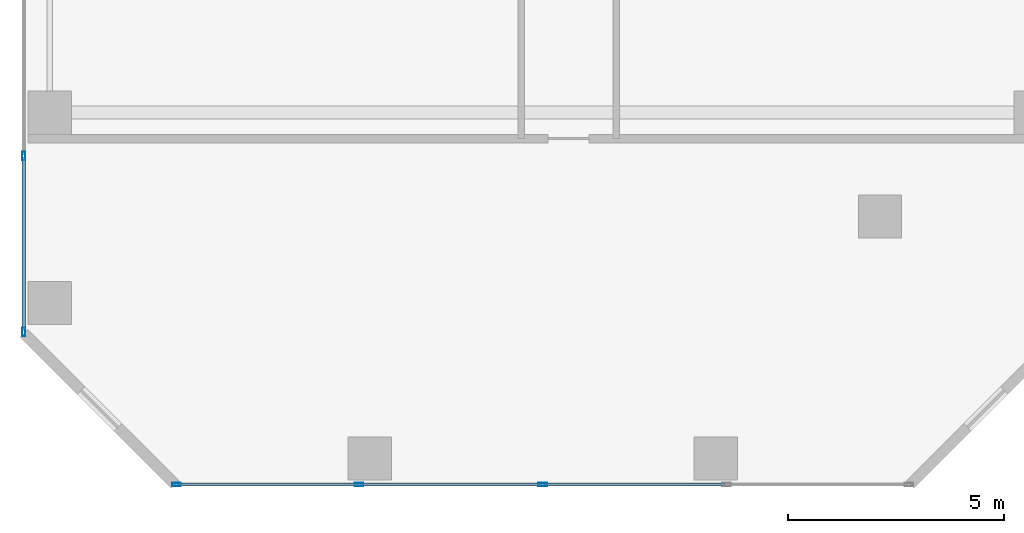
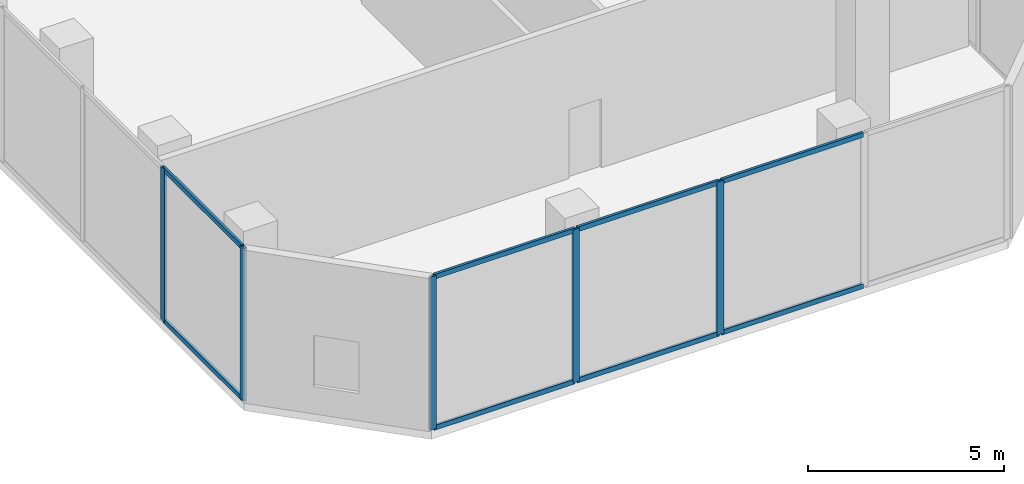
# One storey, part 2 of 24: 13 members, 2 elements without a shape of their own.
"""IFC4 building model written with IfcOpenShell, lengths in metres."""

from ifc_helpers import new_model, si_unit, direction, frame, origin, origin_2d, place, context, subcontext, project, spatial, hollow_rectangle, extrude, material, layer, layer_set, material_profile, profile_set, type_object, element, aggregate, save


model = new_model("IFC4")

# Units and contexts
model_context = context("Model", 3, precision=1e-05, world=origin(), true_north=direction((0.0, 1.0)))
body_context = subcontext(model_context, "Body", "Model", "MODEL_VIEW")
ifc_project = project(units=[si_unit("LENGTHUNIT", "METRE"), si_unit("AREAUNIT", "SQUARE_METRE"), si_unit("VOLUMEUNIT", "CUBIC_METRE"), si_unit("PLANEANGLEUNIT", "RADIAN"), si_unit("MASSUNIT", "GRAM", prefix="KILO")], contexts=[model_context])

# Site, building, storey
site_placement = place(None, origin())
site = spatial("IfcSite", under=ifc_project, at=site_placement, CompositionType="ELEMENT")
building_placement = place(site_placement, origin())
building = spatial("IfcBuilding", under=site, at=building_placement, Name="Catumbela Crestline Tower", CompositionType="ELEMENT")
storey_placement = place(building_placement, frame((0.0, 0.0, 6.0)))
storey = spatial("IfcBuildingStorey", under=building, at=storey_placement, Name="L01", CompositionType="ELEMENT", Elevation=6.0)

# Curtain wall, members
ifc_material = material(Name="Aluminium alloy AW-6060-T66", Category="aluminium")
ifc_layer = layer(ifc_material, 0.18, Name="Aluminium alloy AW-6060-T66")
ifc_layer_set = layer_set([ifc_layer], Name="Aluminium alloy AW-6060-T66")
curtain_wall_type = type_object("IfcCurtainWallType", Name="CWS-POD", PredefinedType="USERDEFINED", material=ifc_layer_set)
curtain_wall_1_placement = place(storey_placement, origin())
curtain_wall_1 = element("IfcCurtainWall", 1, at=curtain_wall_1_placement, inside=storey, type_object=curtain_wall_type, Name="L01 Stick Curtain Wall CW-L01-E0S1", ObjectType="STICK", PredefinedType="USERDEFINED")
ifc_material_profile_1 = material_profile(ifc_material, hollow_rectangle(XDim=0.075, YDim=0.2, WallThickness=0.005, at=origin_2d()), Name="ALU 200x75x5")
ifc_profile_set_1 = profile_set([ifc_material_profile_1], Name="Aluminium alloy AW-6060-T66")
member_type_1 = type_object("IfcMemberType", Name="MUL-200X75", PredefinedType="MULLION", material=ifc_profile_set_1)
member_1_placement = place(storey_placement, frame((3.5325, 0.0, 0.0), z_axis=(0.0, 0.0, 1.0), x_axis=(0.0, 1.0, 0.0)))
member_1 = element("IfcMember", 2, at=member_1_placement, type_object=member_type_1, Name="CWS-POD mullion 1", PredefinedType="MULLION", context=body_context, shape_type="SweptSolid", body=[
    extrude(hollow_rectangle(XDim=0.075, YDim=0.2, WallThickness=0.005, at=origin_2d()), origin(), (0.0, 0.0, 1.0), 4.77),
])
member_2_placement = place(storey_placement, frame((7.75, 0.0, 0.0), z_axis=(0.0, 0.0, 1.0), x_axis=(0.0, 1.0, 0.0)))
member_2 = element("IfcMember", 3, at=member_2_placement, type_object=member_type_1, Name="CWS-POD mullion 2", PredefinedType="MULLION", context=body_context, shape_type="SweptSolid", body=[
    extrude(hollow_rectangle(XDim=0.075, YDim=0.2, WallThickness=0.005, at=origin_2d()), origin(), (0.0, 0.0, 1.0), 4.77),
])
member_3_placement = place(storey_placement, frame((12.0, 0.0, 0.0), z_axis=(0.0, 0.0, 1.0), x_axis=(0.0, 1.0, 0.0)))
member_3 = element("IfcMember", 4, at=member_3_placement, type_object=member_type_1, Name="CWS-POD mullion 3", PredefinedType="MULLION", context=body_context, shape_type="SweptSolid", body=[
    extrude(hollow_rectangle(XDim=0.075, YDim=0.2, WallThickness=0.005, at=origin_2d()), origin(), (0.0, 0.0, 1.0), 4.77),
])

curtain_wall_2_placement = place(storey_placement, origin())
curtain_wall_2 = element("IfcCurtainWall", 5, at=curtain_wall_2_placement, inside=storey, type_object=curtain_wall_type, Name="L01 Stick Curtain Wall CW-L01-E9S1", ObjectType="STICK", PredefinedType="USERDEFINED")
member_4_placement = place(storey_placement, frame((0.0, 7.6, 0.0), z_axis=(0.0, 0.0, 1.0), x_axis=(1.0, 0.0, 0.0)))
member_4 = element("IfcMember", 6, at=member_4_placement, type_object=member_type_1, Name="CWS-POD mullion 10", PredefinedType="MULLION", context=body_context, shape_type="SweptSolid", body=[
    extrude(hollow_rectangle(XDim=0.075, YDim=0.2, WallThickness=0.005, at=origin_2d()), origin(), (0.0, 0.0, 1.0), 4.77),
])
member_5_placement = place(storey_placement, frame((0.0, 3.5325, 0.0), z_axis=(0.0, 0.0, 1.0), x_axis=(1.0, 0.0, 0.0)))
member_5 = element("IfcMember", 7, at=member_5_placement, type_object=member_type_1, Name="CWS-POD mullion 11", PredefinedType="MULLION", context=body_context, shape_type="SweptSolid", body=[
    extrude(hollow_rectangle(XDim=0.075, YDim=0.2, WallThickness=0.005, at=origin_2d()), origin(), (0.0, 0.0, 1.0), 4.77),
])

# Member
ifc_material_profile_2 = material_profile(ifc_material, hollow_rectangle(XDim=0.075, YDim=0.15, WallThickness=0.0045, at=origin_2d()), Name="ALU 150x75x4.5")
ifc_profile_set_2 = profile_set([ifc_material_profile_2], Name="Aluminium alloy AW-6060-T66")
member_type_2 = type_object("IfcMemberType", Name="TRN-150X75", PredefinedType="USERDEFINED", material=ifc_profile_set_2)
member_6_placement = place(storey_placement, frame((3.565, 0.0, 0.03), z_axis=(1.0, 0.0, 0.0), x_axis=(0.0, 1.0, 0.0)))
member_6 = element("IfcMember", 8, at=member_6_placement, type_object=member_type_2, Name="CWS-POD transom 1.1", ObjectType="TRANSOM", PredefinedType="USERDEFINED", context=body_context, shape_type="SweptSolid", body=[
    extrude(hollow_rectangle(XDim=0.075, YDim=0.15, WallThickness=0.0045, at=origin_2d()), origin(), (0.0, 0.0, 1.0), 4.1525),
])

member_7_placement = place(storey_placement, frame((3.565, 0.0, 4.74), z_axis=(1.0, 0.0, 0.0), x_axis=(0.0, 1.0, 0.0)))
member_7 = element("IfcMember", 9, at=member_7_placement, type_object=member_type_2, Name="CWS-POD transom 1.2", ObjectType="TRANSOM", PredefinedType="USERDEFINED", context=body_context, shape_type="SweptSolid", body=[
    extrude(hollow_rectangle(XDim=0.075, YDim=0.15, WallThickness=0.0045, at=origin_2d()), origin(), (0.0, 0.0, 1.0), 4.1525),
])

member_8_placement = place(storey_placement, frame((7.7825, 0.0, 0.03), z_axis=(1.0, 0.0, 0.0), x_axis=(0.0, 1.0, 0.0)))
member_8 = element("IfcMember", 10, at=member_8_placement, type_object=member_type_2, Name="CWS-POD transom 2.1", ObjectType="TRANSOM", PredefinedType="USERDEFINED", context=body_context, shape_type="SweptSolid", body=[
    extrude(hollow_rectangle(XDim=0.075, YDim=0.15, WallThickness=0.0045, at=origin_2d()), origin(), (0.0, 0.0, 1.0), 4.185),
])

member_9_placement = place(storey_placement, frame((7.7825, 0.0, 4.74), z_axis=(1.0, 0.0, 0.0), x_axis=(0.0, 1.0, 0.0)))
member_9 = element("IfcMember", 11, at=member_9_placement, type_object=member_type_2, Name="CWS-POD transom 2.2", ObjectType="TRANSOM", PredefinedType="USERDEFINED", context=body_context, shape_type="SweptSolid", body=[
    extrude(hollow_rectangle(XDim=0.075, YDim=0.15, WallThickness=0.0045, at=origin_2d()), origin(), (0.0, 0.0, 1.0), 4.185),
])

member_10_placement = place(storey_placement, frame((12.0325, 0.0, 0.03), z_axis=(1.0, 0.0, 0.0), x_axis=(0.0, 1.0, 0.0)))
member_10 = element("IfcMember", 12, at=member_10_placement, type_object=member_type_2, Name="CWS-POD transom 3.1", ObjectType="TRANSOM", PredefinedType="USERDEFINED", context=body_context, shape_type="SweptSolid", body=[
    extrude(hollow_rectangle(XDim=0.075, YDim=0.15, WallThickness=0.0045, at=origin_2d()), origin(), (0.0, 0.0, 1.0), 4.185),
])

member_11_placement = place(storey_placement, frame((12.0325, 0.0, 4.74), z_axis=(1.0, 0.0, 0.0), x_axis=(0.0, 1.0, 0.0)))
member_11 = element("IfcMember", 13, at=member_11_placement, type_object=member_type_2, Name="CWS-POD transom 3.2", ObjectType="TRANSOM", PredefinedType="USERDEFINED", context=body_context, shape_type="SweptSolid", body=[
    extrude(hollow_rectangle(XDim=0.075, YDim=0.15, WallThickness=0.0045, at=origin_2d()), origin(), (0.0, 0.0, 1.0), 4.185),
])

aggregate(curtain_wall_1, [member_1, member_2, member_3, member_6, member_7, member_8, member_9, member_10, member_11])

member_12_placement = place(storey_placement, frame((0.0, 7.5675, 0.03), z_axis=(0.0, -1.0, 0.0), x_axis=(1.0, 0.0, 0.0)))
member_12 = element("IfcMember", 14, at=member_12_placement, type_object=member_type_2, Name="CWS-POD transom 10.1", ObjectType="TRANSOM", PredefinedType="USERDEFINED", context=body_context, shape_type="SweptSolid", body=[
    extrude(hollow_rectangle(XDim=0.075, YDim=0.15, WallThickness=0.0045, at=origin_2d()), origin(), (0.0, 0.0, 1.0), 4.0025),
])

member_13_placement = place(storey_placement, frame((0.0, 7.5675, 4.74), z_axis=(0.0, -1.0, 0.0), x_axis=(1.0, 0.0, 0.0)))
member_13 = element("IfcMember", 15, at=member_13_placement, type_object=member_type_2, Name="CWS-POD transom 10.2", ObjectType="TRANSOM", PredefinedType="USERDEFINED", context=body_context, shape_type="SweptSolid", body=[
    extrude(hollow_rectangle(XDim=0.075, YDim=0.15, WallThickness=0.0045, at=origin_2d()), origin(), (0.0, 0.0, 1.0), 4.0025),
])

aggregate(curtain_wall_2, [member_4, member_5, member_12, member_13])

save(model, "model.ifc")
